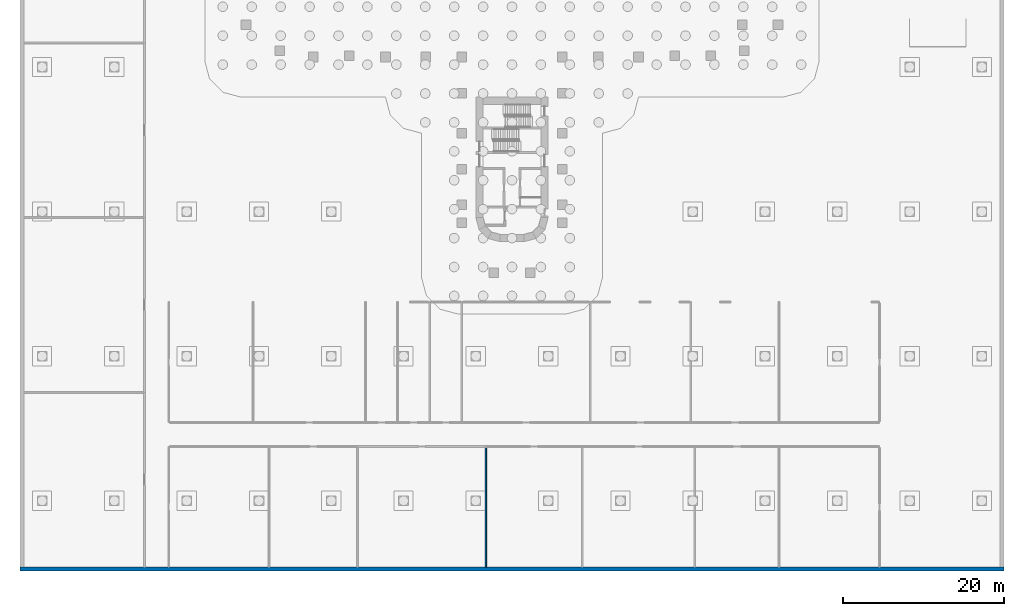
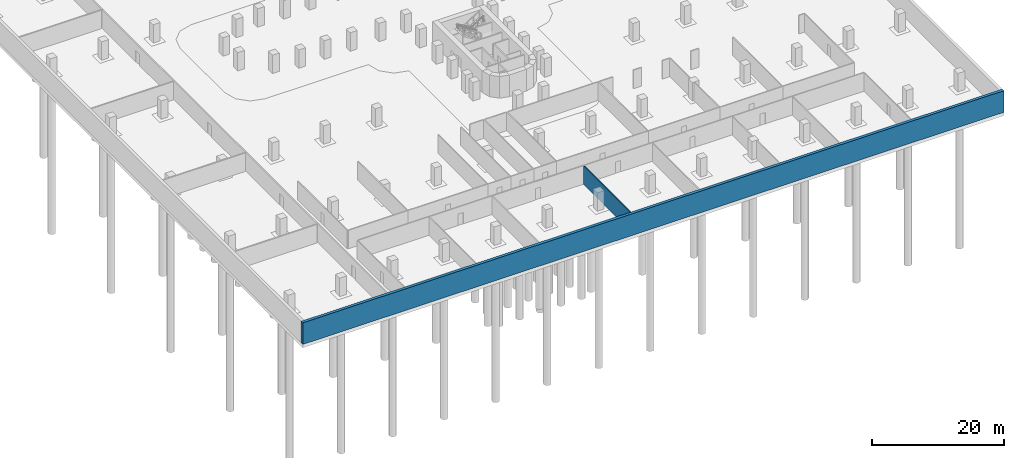
# One storey, part 5 of 14: 2 walls.
"""IFC4 building model written with IfcOpenShell, lengths in metres."""

from ifc_helpers import new_model, si_unit, direction, frame, frame_2d, origin, place, context, subcontext, project, spatial, rectangle, extrude, material, layer, layer_set, type_object, element, save


model = new_model("IFC4")

# Units and contexts
model_context = context("Model", 3, precision=1e-05, world=origin(), true_north=direction((0.0, 1.0)))
body_context = subcontext(model_context, "Body", "Model", "MODEL_VIEW")
ifc_project = project(units=[si_unit("LENGTHUNIT", "METRE"), si_unit("AREAUNIT", "SQUARE_METRE"), si_unit("VOLUMEUNIT", "CUBIC_METRE"), si_unit("PLANEANGLEUNIT", "RADIAN"), si_unit("MASSUNIT", "GRAM", prefix="KILO")], contexts=[model_context])

# Site, building, storey
site_placement = place(None, origin())
site = spatial("IfcSite", under=ifc_project, at=site_placement, CompositionType="ELEMENT")
building_placement = place(site_placement, origin())
building = spatial("IfcBuilding", under=site, at=building_placement, Name="Zarbagh Exchange Tower", CompositionType="ELEMENT")
storey_placement = place(building_placement, frame((0.0, 0.0, -8.0)))
storey = spatial("IfcBuildingStorey", under=building, at=storey_placement, Name="B2", CompositionType="ELEMENT", Elevation=-8.0)

# Walls
ifc_material_1 = material(Name="Concrete block partition", Category="concrete")
ifc_layer_1 = layer(ifc_material_1, 0.199951171875)
ifc_layer_set_1 = layer_set([ifc_layer_1], Name="Fire-rated block partition 200 EI 60")
wall_type_1 = type_object("IfcWallType", Name="Fire-rated block partition 200 EI 60", PredefinedType="PARTITIONING", material=ifc_layer_set_1)
wall_1_placement = place(storey_placement, frame((-3.25, -54.949951171875, 0.0), z_axis=(0.0, 0.0, 1.0), x_axis=(0.0, -1.0, 0.0)))
element("IfcWall", 1, at=wall_1_placement, inside=storey, type_object=wall_type_1, Name="WL-B2-W032", PredefinedType="PARTITIONING", context=body_context, shape_type="SweptSolid", body=[
    extrude(rectangle(XDim=14.800048828125, YDim=0.199951171875, at=frame_2d((7.39990234375, 0.0))), origin(), (0.0, 0.0, 1.0), 3.39990234375),
])
ifc_material_2 = material(Name="Concrete C40/50", Category="concrete")
ifc_layer_2 = layer(ifc_material_2, 0.5)
ifc_layer_set_2 = layer_set([ifc_layer_2], Name="RC basement retaining wall 500 C40/50")
wall_type_2 = type_object("IfcWallType", Name="RC basement retaining wall 500 C40/50", PredefinedType="SOLIDWALL", material=ifc_layer_set_2)
wall_2_placement = place(storey_placement, frame((-61.25, -70.0, 0.0), z_axis=(0.0, 0.0, 1.0), x_axis=(1.0, 0.0, 0.0)))
element("IfcWall", 2, at=wall_2_placement, inside=storey, type_object=wall_type_2, Name="CW12 basement", PredefinedType="SOLIDWALL", context=body_context, shape_type="SweptSolid", body=[
    extrude(rectangle(XDim=122.5, YDim=0.5, at=frame_2d((61.25, 0.0))), origin(), (0.0, 0.0, 1.0), 4.0),
])

save(model, "model.ifc")
